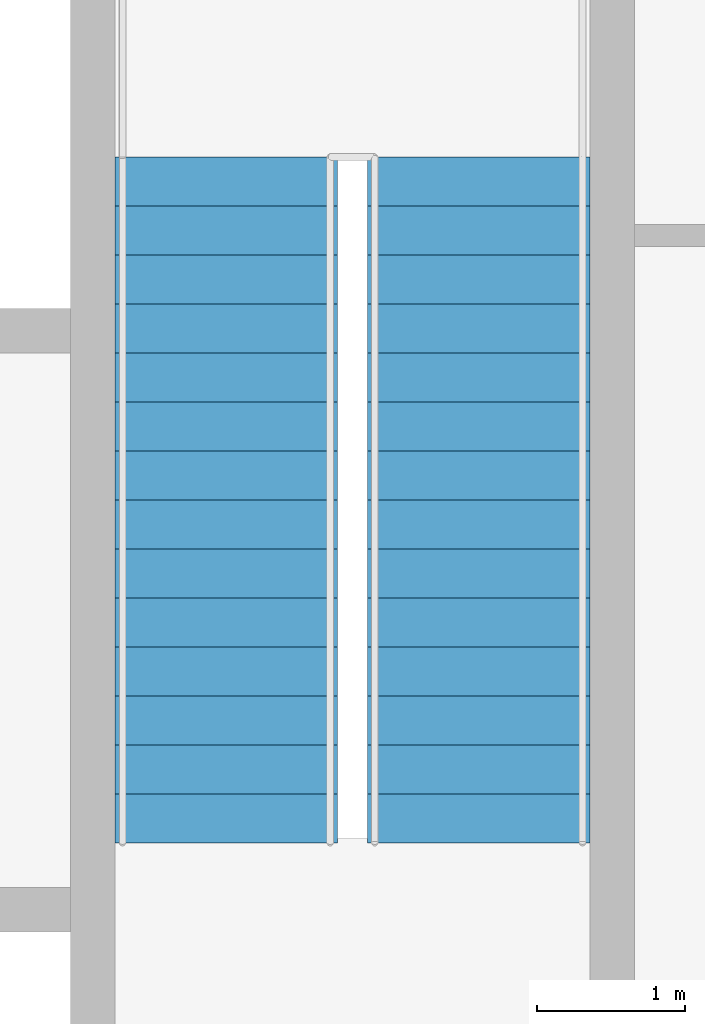
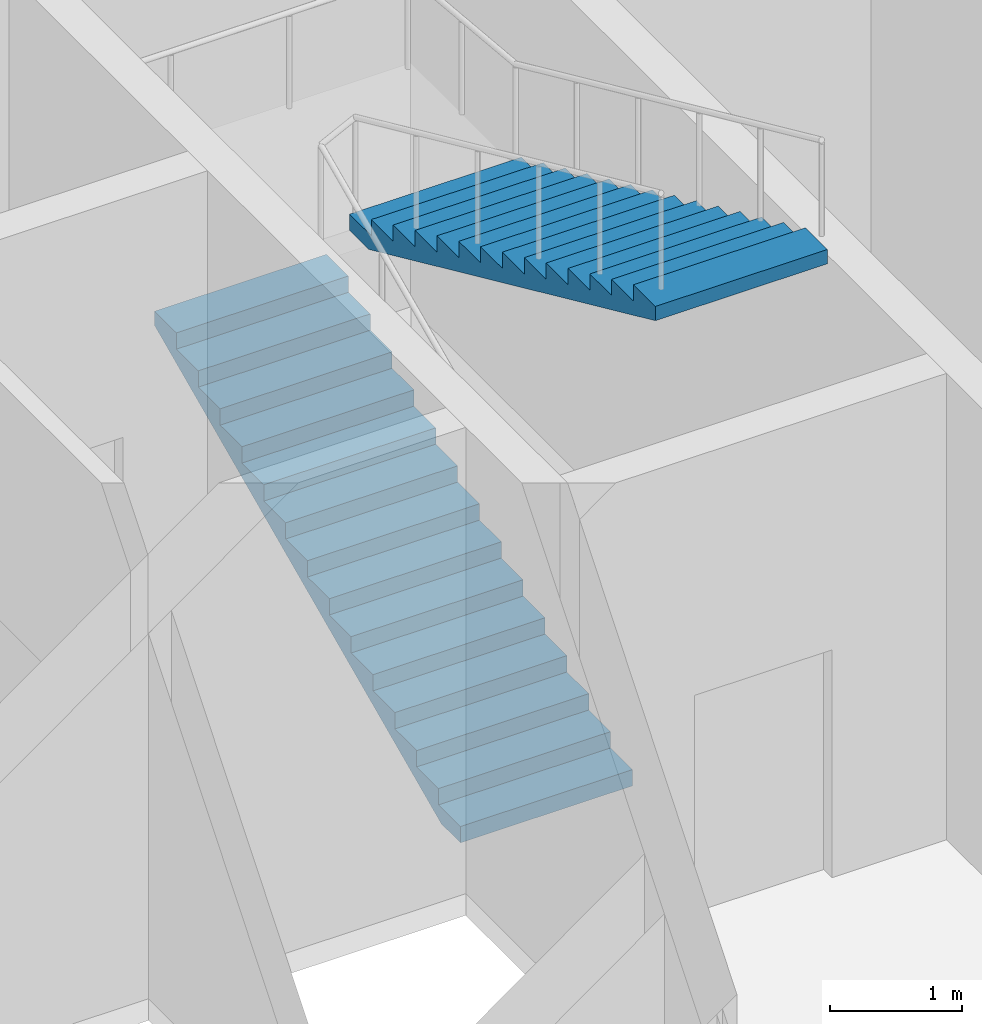
# One storey, part 10 of 11: 2 stair flights, 1 element without a shape of its own.
"""IFC4 building model written with IfcOpenShell, lengths in metres."""

from ifc_helpers import new_model, si_unit, direction, frame, origin, place, context, subcontext, project, spatial, polygons, material, type_object, element, aggregate, save


model = new_model("IFC4")

# Units and contexts
model_context = context("Model", 3, precision=1e-05, world=origin(), true_north=direction((0.0, 1.0)))
body_context = subcontext(model_context, "Body", "Model", "MODEL_VIEW")
ifc_project = project(units=[si_unit("LENGTHUNIT", "METRE"), si_unit("AREAUNIT", "SQUARE_METRE"), si_unit("VOLUMEUNIT", "CUBIC_METRE"), si_unit("PLANEANGLEUNIT", "RADIAN"), si_unit("MASSUNIT", "GRAM", prefix="KILO")], contexts=[model_context])

# Site, building, storey
site_placement = place(None, origin())
site = spatial("IfcSite", under=ifc_project, at=site_placement, CompositionType="ELEMENT")
building_placement = place(site_placement, origin())
building = spatial("IfcBuilding", under=site, at=building_placement, Name="Njiva Tower", CompositionType="ELEMENT")
storey_placement = place(building_placement, frame((0.0, 0.0, 46.8)))
storey = spatial("IfcBuildingStorey", under=building, at=storey_placement, Name="L09", CompositionType="ELEMENT", Elevation=46.8)

# Stair, stair flights
ifc_material = material(Name="Concrete C40/50", Category="concrete")
stair_type = type_object("IfcStairType", Name="ST4 Exit stair 1500", PredefinedType="HALF_TURN_STAIR", material=ifc_material)
stair_placement = place(storey_placement, origin())
stair = element("IfcStair", 1, at=stair_placement, inside=storey, type_object=stair_type, Name="Stair B", PredefinedType="HALF_TURN_STAIR")
stair_flight_type = type_object("IfcStairFlightType", Name="FL4 Stair flight 1500", PredefinedType="STRAIGHT", material=ifc_material)
stair_flight_1_placement = place(storey_placement, frame((11.75, 11.1, 0.0), z_axis=(0.0, 0.0, 1.0), x_axis=(0.0, 1.0, 0.0)))
stair_flight_1 = element("IfcStairFlight", 2, at=stair_flight_1_placement, type_object=stair_flight_type, Name="ST-B flight 1", NumberOfRisers=15, NumberOfTreads=14, PredefinedType="STRAIGHT", RiserHeight=0.15, TreadLength=0.33, context=body_context, shape_type="Tessellation", body=[
    polygons([(0.0, 0.75, 0.0), (0.0, 0.375, 0.0), (0.0, 0.0, 0.0), (0.0, -0.375, 0.0), (0.0, -0.75, 0.0), (0.0, 0.75, 0.15), (0.0, 0.375, 0.15), (0.0, 0.0, 0.15), (0.0, -0.375, 0.15), (0.0, -0.75, 0.15), (0.33, 0.75, 0.15), (0.33, 0.375, 0.15), (0.33, 0.0, 0.15), (0.33, -0.375, 0.15), (0.33, -0.75, 0.15), (0.33, 0.75, 0.3), (0.33, 0.375, 0.3), (0.33, 0.0, 0.3), (0.33, -0.375, 0.3), (0.33, -0.75, 0.3), (0.66, 0.75, 0.3), (0.66, 0.375, 0.3), (0.66, 0.0, 0.3), (0.66, -0.375, 0.3), (0.66, -0.75, 0.3), (0.66, 0.75, 0.45), (0.66, 0.375, 0.45), (0.66, 0.0, 0.45), (0.66, -0.375, 0.45), (0.66, -0.75, 0.45), (0.99, 0.75, 0.45), (0.99, 0.375, 0.45), (0.99, 0.0, 0.45), (0.99, -0.375, 0.45), (0.99, -0.75, 0.45), (0.99, 0.75, 0.6), (0.99, 0.375, 0.6), (0.99, 0.0, 0.6), (0.99, -0.375, 0.6), (0.99, -0.75, 0.6), (1.32, 0.75, 0.6), (1.32, 0.375, 0.6), (1.32, 0.0, 0.6), (1.32, -0.375, 0.6), (1.32, -0.75, 0.6), (1.32, 0.75, 0.75), (1.32, 0.375, 0.75), (1.32, 0.0, 0.75), (1.32, -0.375, 0.75), (1.32, -0.75, 0.75), (1.65, 0.75, 0.75), (1.65, 0.375, 0.75), (1.65, 0.0, 0.75), (1.65, -0.375, 0.75), (1.65, -0.75, 0.75), (1.65, 0.75, 0.9), (1.65, 0.375, 0.9), (1.65, 0.0, 0.9), (1.65, -0.375, 0.9), (1.65, -0.75, 0.9), (1.98, 0.75, 0.9), (1.98, 0.375, 0.9), (1.98, 0.0, 0.9), (1.98, -0.375, 0.9), (1.98, -0.75, 0.9), (1.98, 0.75, 1.05), (1.98, 0.375, 1.05), (1.98, 0.0, 1.05), (1.98, -0.375, 1.05), (1.98, -0.75, 1.05), (2.31, 0.75, 1.05), (2.31, 0.375, 1.05), (2.31, 0.0, 1.05), (2.31, -0.375, 1.05), (2.31, -0.75, 1.05), (2.31, 0.75, 1.2), (2.31, 0.375, 1.2), (2.31, 0.0, 1.2), (2.31, -0.375, 1.2), (2.31, -0.75, 1.2), (2.64, 0.75, 1.2), (2.64, 0.375, 1.2), (2.64, 0.0, 1.2), (2.64, -0.375, 1.2), (2.64, -0.75, 1.2), (2.64, 0.75, 1.35), (2.64, 0.375, 1.35), (2.64, 0.0, 1.35), (2.64, -0.375, 1.35), (2.64, -0.75, 1.35), (2.97, 0.75, 1.35), (2.97, 0.375, 1.35), (2.97, 0.0, 1.35), (2.97, -0.375, 1.35), (2.97, -0.75, 1.35), (2.97, 0.75, 1.5), (2.97, 0.375, 1.5), (2.97, 0.0, 1.5), (2.97, -0.375, 1.5), (2.97, -0.75, 1.5), (3.3, 0.75, 1.5), (3.3, 0.375, 1.5), (3.3, 0.0, 1.5), (3.3, -0.375, 1.5), (3.3, -0.75, 1.5), (3.3, 0.75, 1.65), (3.3, 0.375, 1.65), (3.3, 0.0, 1.65), (3.3, -0.375, 1.65), (3.3, -0.75, 1.65), (3.63, 0.75, 1.65), (3.63, 0.375, 1.65), (3.63, 0.0, 1.65), (3.63, -0.375, 1.65), (3.63, -0.75, 1.65), (3.63, 0.75, 1.8), (3.63, 0.375, 1.8), (3.63, 0.0, 1.8), (3.63, -0.375, 1.8), (3.63, -0.75, 1.8), (3.96, 0.75, 1.8), (3.96, 0.375, 1.8), (3.96, 0.0, 1.8), (3.96, -0.375, 1.8), (3.96, -0.75, 1.8), (3.96, 0.75, 1.95), (3.96, 0.375, 1.95), (3.96, 0.0, 1.95), (3.96, -0.375, 1.95), (3.96, -0.75, 1.95), (4.29, 0.75, 1.95), (4.29, 0.375, 1.95), (4.29, 0.0, 1.95), (4.29, -0.375, 1.95), (4.29, -0.75, 1.95), (4.29, 0.75, 2.1), (4.29, 0.375, 2.1), (4.29, 0.0, 2.1), (4.29, -0.375, 2.1), (4.29, -0.75, 2.1), (4.62, 0.75, 2.1), (4.62, 0.375, 2.1), (4.62, 0.0, 2.1), (4.62, -0.375, 2.1), (4.62, -0.75, 2.1), (4.62, 0.75, 1.9682), (4.62, 0.375, 1.9682), (4.62, 0.0, 1.9682), (4.62, -0.375, 1.9682), (4.62, -0.75, 1.9682), (0.29, 0.75, 0.0), (0.29, 0.375, 0.0), (0.29, 0.0, 0.0), (0.29, -0.375, 0.0), (0.29, -0.75, 0.0)], [[[1, 6, 11, 16, 21, 26, 31, 36, 41, 46, 51, 56, 61, 66, 71, 76, 81, 86, 91, 96, 101, 106, 111, 116, 121, 126, 131, 136, 141, 146, 151]], [[155, 150, 145, 140, 135, 130, 125, 120, 115, 110, 105, 100, 95, 90, 85, 80, 75, 70, 65, 60, 55, 50, 45, 40, 35, 30, 25, 20, 15, 10, 5]], [[6, 1, 2, 7]], [[7, 2, 3, 8]], [[8, 3, 4, 9]], [[9, 4, 5, 10]], [[11, 6, 7, 12]], [[12, 7, 8, 13]], [[13, 8, 9, 14]], [[14, 9, 10, 15]], [[16, 11, 12, 17]], [[17, 12, 13, 18]], [[18, 13, 14, 19]], [[19, 14, 15, 20]], [[21, 16, 17, 22]], [[22, 17, 18, 23]], [[23, 18, 19, 24]], [[24, 19, 20, 25]], [[26, 21, 22, 27]], [[27, 22, 23, 28]], [[28, 23, 24, 29]], [[29, 24, 25, 30]], [[31, 26, 27, 32]], [[32, 27, 28, 33]], [[33, 28, 29, 34]], [[34, 29, 30, 35]], [[36, 31, 32, 37]], [[37, 32, 33, 38]], [[38, 33, 34, 39]], [[39, 34, 35, 40]], [[41, 36, 37, 42]], [[42, 37, 38, 43]], [[43, 38, 39, 44]], [[44, 39, 40, 45]], [[46, 41, 42, 47]], [[47, 42, 43, 48]], [[48, 43, 44, 49]], [[49, 44, 45, 50]], [[51, 46, 47, 52]], [[52, 47, 48, 53]], [[53, 48, 49, 54]], [[54, 49, 50, 55]], [[56, 51, 52, 57]], [[57, 52, 53, 58]], [[58, 53, 54, 59]], [[59, 54, 55, 60]], [[61, 56, 57, 62]], [[62, 57, 58, 63]], [[63, 58, 59, 64]], [[64, 59, 60, 65]], [[66, 61, 62, 67]], [[67, 62, 63, 68]], [[68, 63, 64, 69]], [[69, 64, 65, 70]], [[71, 66, 67, 72]], [[72, 67, 68, 73]], [[73, 68, 69, 74]], [[74, 69, 70, 75]], [[76, 71, 72, 77]], [[77, 72, 73, 78]], [[78, 73, 74, 79]], [[79, 74, 75, 80]], [[81, 76, 77, 82]], [[82, 77, 78, 83]], [[83, 78, 79, 84]], [[84, 79, 80, 85]], [[86, 81, 82, 87]], [[87, 82, 83, 88]], [[88, 83, 84, 89]], [[89, 84, 85, 90]], [[91, 86, 87, 92]], [[92, 87, 88, 93]], [[93, 88, 89, 94]], [[94, 89, 90, 95]], [[96, 91, 92, 97]], [[97, 92, 93, 98]], [[98, 93, 94, 99]], [[99, 94, 95, 100]], [[101, 96, 97, 102]], [[102, 97, 98, 103]], [[103, 98, 99, 104]], [[104, 99, 100, 105]], [[106, 101, 102, 107]], [[107, 102, 103, 108]], [[108, 103, 104, 109]], [[109, 104, 105, 110]], [[111, 106, 107, 112]], [[112, 107, 108, 113]], [[113, 108, 109, 114]], [[114, 109, 110, 115]], [[116, 111, 112, 117]], [[117, 112, 113, 118]], [[118, 113, 114, 119]], [[119, 114, 115, 120]], [[121, 116, 117, 122]], [[122, 117, 118, 123]], [[123, 118, 119, 124]], [[124, 119, 120, 125]], [[126, 121, 122, 127]], [[127, 122, 123, 128]], [[128, 123, 124, 129]], [[129, 124, 125, 130]], [[131, 126, 127, 132]], [[132, 127, 128, 133]], [[133, 128, 129, 134]], [[134, 129, 130, 135]], [[136, 131, 132, 137]], [[137, 132, 133, 138]], [[138, 133, 134, 139]], [[139, 134, 135, 140]], [[141, 136, 137, 142]], [[142, 137, 138, 143]], [[143, 138, 139, 144]], [[144, 139, 140, 145]], [[146, 141, 142, 147]], [[147, 142, 143, 148]], [[148, 143, 144, 149]], [[149, 144, 145, 150]], [[151, 146, 147, 152]], [[152, 147, 148, 153]], [[153, 148, 149, 154]], [[154, 149, 150, 155]], [[1, 151, 152, 2]], [[2, 152, 153, 3]], [[3, 153, 154, 4]], [[4, 154, 155, 5]]], closed=True),
])
stair_flight_2_placement = place(storey_placement, frame((13.45, 15.72, 2.25), z_axis=(0.0, 0.0, 1.0), x_axis=(0.0, -1.0, 0.0)))
stair_flight_2 = element("IfcStairFlight", 3, at=stair_flight_2_placement, type_object=stair_flight_type, Name="ST-B flight 2", NumberOfRisers=15, NumberOfTreads=14, PredefinedType="STRAIGHT", RiserHeight=0.15, TreadLength=0.33, context=body_context, shape_type="Tessellation", body=[
    polygons([(0.0, 0.75, 0.0), (0.0, 0.375, 0.0), (0.0, 0.0, 0.0), (0.0, -0.375, 0.0), (0.0, -0.75, 0.0), (0.0, 0.75, 0.15), (0.0, 0.375, 0.15), (0.0, 0.0, 0.15), (0.0, -0.375, 0.15), (0.0, -0.75, 0.15), (0.33, 0.75, 0.15), (0.33, 0.375, 0.15), (0.33, 0.0, 0.15), (0.33, -0.375, 0.15), (0.33, -0.75, 0.15), (0.33, 0.75, 0.3), (0.33, 0.375, 0.3), (0.33, 0.0, 0.3), (0.33, -0.375, 0.3), (0.33, -0.75, 0.3), (0.66, 0.75, 0.3), (0.66, 0.375, 0.3), (0.66, 0.0, 0.3), (0.66, -0.375, 0.3), (0.66, -0.75, 0.3), (0.66, 0.75, 0.45), (0.66, 0.375, 0.45), (0.66, 0.0, 0.45), (0.66, -0.375, 0.45), (0.66, -0.75, 0.45), (0.99, 0.75, 0.45), (0.99, 0.375, 0.45), (0.99, 0.0, 0.45), (0.99, -0.375, 0.45), (0.99, -0.75, 0.45), (0.99, 0.75, 0.6), (0.99, 0.375, 0.6), (0.99, 0.0, 0.6), (0.99, -0.375, 0.6), (0.99, -0.75, 0.6), (1.32, 0.75, 0.6), (1.32, 0.375, 0.6), (1.32, 0.0, 0.6), (1.32, -0.375, 0.6), (1.32, -0.75, 0.6), (1.32, 0.75, 0.75), (1.32, 0.375, 0.75), (1.32, 0.0, 0.75), (1.32, -0.375, 0.75), (1.32, -0.75, 0.75), (1.65, 0.75, 0.75), (1.65, 0.375, 0.75), (1.65, 0.0, 0.75), (1.65, -0.375, 0.75), (1.65, -0.75, 0.75), (1.65, 0.75, 0.9), (1.65, 0.375, 0.9), (1.65, 0.0, 0.9), (1.65, -0.375, 0.9), (1.65, -0.75, 0.9), (1.98, 0.75, 0.9), (1.98, 0.375, 0.9), (1.98, 0.0, 0.9), (1.98, -0.375, 0.9), (1.98, -0.75, 0.9), (1.98, 0.75, 1.05), (1.98, 0.375, 1.05), (1.98, 0.0, 1.05), (1.98, -0.375, 1.05), (1.98, -0.75, 1.05), (2.31, 0.75, 1.05), (2.31, 0.375, 1.05), (2.31, 0.0, 1.05), (2.31, -0.375, 1.05), (2.31, -0.75, 1.05), (2.31, 0.75, 1.2), (2.31, 0.375, 1.2), (2.31, 0.0, 1.2), (2.31, -0.375, 1.2), (2.31, -0.75, 1.2), (2.64, 0.75, 1.2), (2.64, 0.375, 1.2), (2.64, 0.0, 1.2), (2.64, -0.375, 1.2), (2.64, -0.75, 1.2), (2.64, 0.75, 1.35), (2.64, 0.375, 1.35), (2.64, 0.0, 1.35), (2.64, -0.375, 1.35), (2.64, -0.75, 1.35), (2.97, 0.75, 1.35), (2.97, 0.375, 1.35), (2.97, 0.0, 1.35), (2.97, -0.375, 1.35), (2.97, -0.75, 1.35), (2.97, 0.75, 1.5), (2.97, 0.375, 1.5), (2.97, 0.0, 1.5), (2.97, -0.375, 1.5), (2.97, -0.75, 1.5), (3.3, 0.75, 1.5), (3.3, 0.375, 1.5), (3.3, 0.0, 1.5), (3.3, -0.375, 1.5), (3.3, -0.75, 1.5), (3.3, 0.75, 1.65), (3.3, 0.375, 1.65), (3.3, 0.0, 1.65), (3.3, -0.375, 1.65), (3.3, -0.75, 1.65), (3.63, 0.75, 1.65), (3.63, 0.375, 1.65), (3.63, 0.0, 1.65), (3.63, -0.375, 1.65), (3.63, -0.75, 1.65), (3.63, 0.75, 1.8), (3.63, 0.375, 1.8), (3.63, 0.0, 1.8), (3.63, -0.375, 1.8), (3.63, -0.75, 1.8), (3.96, 0.75, 1.8), (3.96, 0.375, 1.8), (3.96, 0.0, 1.8), (3.96, -0.375, 1.8), (3.96, -0.75, 1.8), (3.96, 0.75, 1.95), (3.96, 0.375, 1.95), (3.96, 0.0, 1.95), (3.96, -0.375, 1.95), (3.96, -0.75, 1.95), (4.29, 0.75, 1.95), (4.29, 0.375, 1.95), (4.29, 0.0, 1.95), (4.29, -0.375, 1.95), (4.29, -0.75, 1.95), (4.29, 0.75, 2.1), (4.29, 0.375, 2.1), (4.29, 0.0, 2.1), (4.29, -0.375, 2.1), (4.29, -0.75, 2.1), (4.62, 0.75, 2.1), (4.62, 0.375, 2.1), (4.62, 0.0, 2.1), (4.62, -0.375, 2.1), (4.62, -0.75, 2.1), (4.62, 0.75, 1.9682), (4.62, 0.375, 1.9682), (4.62, 0.0, 1.9682), (4.62, -0.375, 1.9682), (4.62, -0.75, 1.9682), (0.29, 0.75, 0.0), (0.29, 0.375, 0.0), (0.29, 0.0, 0.0), (0.29, -0.375, 0.0), (0.29, -0.75, 0.0)], [[[1, 6, 11, 16, 21, 26, 31, 36, 41, 46, 51, 56, 61, 66, 71, 76, 81, 86, 91, 96, 101, 106, 111, 116, 121, 126, 131, 136, 141, 146, 151]], [[155, 150, 145, 140, 135, 130, 125, 120, 115, 110, 105, 100, 95, 90, 85, 80, 75, 70, 65, 60, 55, 50, 45, 40, 35, 30, 25, 20, 15, 10, 5]], [[6, 1, 2, 7]], [[7, 2, 3, 8]], [[8, 3, 4, 9]], [[9, 4, 5, 10]], [[11, 6, 7, 12]], [[12, 7, 8, 13]], [[13, 8, 9, 14]], [[14, 9, 10, 15]], [[16, 11, 12, 17]], [[17, 12, 13, 18]], [[18, 13, 14, 19]], [[19, 14, 15, 20]], [[21, 16, 17, 22]], [[22, 17, 18, 23]], [[23, 18, 19, 24]], [[24, 19, 20, 25]], [[26, 21, 22, 27]], [[27, 22, 23, 28]], [[28, 23, 24, 29]], [[29, 24, 25, 30]], [[31, 26, 27, 32]], [[32, 27, 28, 33]], [[33, 28, 29, 34]], [[34, 29, 30, 35]], [[36, 31, 32, 37]], [[37, 32, 33, 38]], [[38, 33, 34, 39]], [[39, 34, 35, 40]], [[41, 36, 37, 42]], [[42, 37, 38, 43]], [[43, 38, 39, 44]], [[44, 39, 40, 45]], [[46, 41, 42, 47]], [[47, 42, 43, 48]], [[48, 43, 44, 49]], [[49, 44, 45, 50]], [[51, 46, 47, 52]], [[52, 47, 48, 53]], [[53, 48, 49, 54]], [[54, 49, 50, 55]], [[56, 51, 52, 57]], [[57, 52, 53, 58]], [[58, 53, 54, 59]], [[59, 54, 55, 60]], [[61, 56, 57, 62]], [[62, 57, 58, 63]], [[63, 58, 59, 64]], [[64, 59, 60, 65]], [[66, 61, 62, 67]], [[67, 62, 63, 68]], [[68, 63, 64, 69]], [[69, 64, 65, 70]], [[71, 66, 67, 72]], [[72, 67, 68, 73]], [[73, 68, 69, 74]], [[74, 69, 70, 75]], [[76, 71, 72, 77]], [[77, 72, 73, 78]], [[78, 73, 74, 79]], [[79, 74, 75, 80]], [[81, 76, 77, 82]], [[82, 77, 78, 83]], [[83, 78, 79, 84]], [[84, 79, 80, 85]], [[86, 81, 82, 87]], [[87, 82, 83, 88]], [[88, 83, 84, 89]], [[89, 84, 85, 90]], [[91, 86, 87, 92]], [[92, 87, 88, 93]], [[93, 88, 89, 94]], [[94, 89, 90, 95]], [[96, 91, 92, 97]], [[97, 92, 93, 98]], [[98, 93, 94, 99]], [[99, 94, 95, 100]], [[101, 96, 97, 102]], [[102, 97, 98, 103]], [[103, 98, 99, 104]], [[104, 99, 100, 105]], [[106, 101, 102, 107]], [[107, 102, 103, 108]], [[108, 103, 104, 109]], [[109, 104, 105, 110]], [[111, 106, 107, 112]], [[112, 107, 108, 113]], [[113, 108, 109, 114]], [[114, 109, 110, 115]], [[116, 111, 112, 117]], [[117, 112, 113, 118]], [[118, 113, 114, 119]], [[119, 114, 115, 120]], [[121, 116, 117, 122]], [[122, 117, 118, 123]], [[123, 118, 119, 124]], [[124, 119, 120, 125]], [[126, 121, 122, 127]], [[127, 122, 123, 128]], [[128, 123, 124, 129]], [[129, 124, 125, 130]], [[131, 126, 127, 132]], [[132, 127, 128, 133]], [[133, 128, 129, 134]], [[134, 129, 130, 135]], [[136, 131, 132, 137]], [[137, 132, 133, 138]], [[138, 133, 134, 139]], [[139, 134, 135, 140]], [[141, 136, 137, 142]], [[142, 137, 138, 143]], [[143, 138, 139, 144]], [[144, 139, 140, 145]], [[146, 141, 142, 147]], [[147, 142, 143, 148]], [[148, 143, 144, 149]], [[149, 144, 145, 150]], [[151, 146, 147, 152]], [[152, 147, 148, 153]], [[153, 148, 149, 154]], [[154, 149, 150, 155]], [[1, 151, 152, 2]], [[2, 152, 153, 3]], [[3, 153, 154, 4]], [[4, 154, 155, 5]]], closed=True),
])
aggregate(stair, [stair_flight_1, stair_flight_2])

save(model, "model.ifc")
